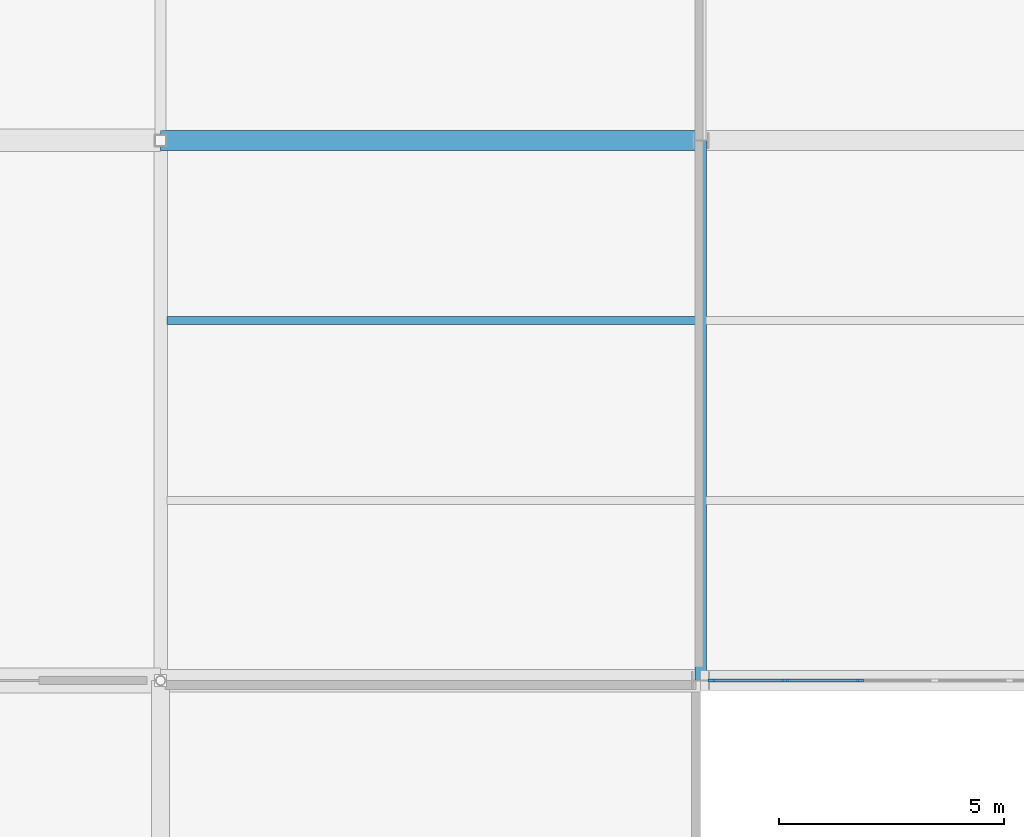
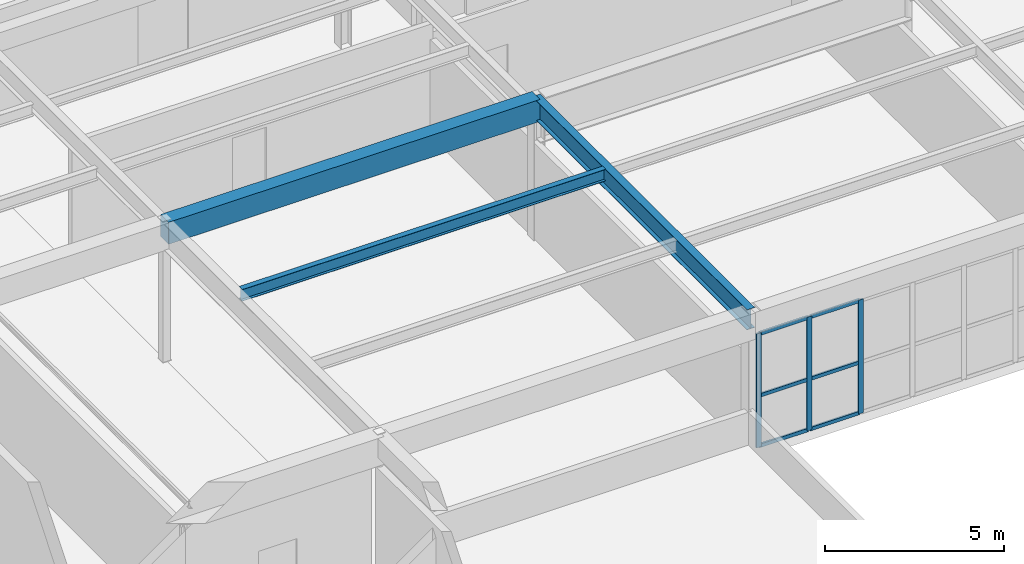
# One storey, part 71 of 186: 9 members, 3 beams, 1 element without a shape of its own.
"""IFC4 building model written with IfcOpenShell, lengths in metres."""

from ifc_helpers import new_model, si_unit, direction, frame, origin, origin_2d, place, context, subcontext, project, spatial, rectangle, i_section, extrude, material, layer, layer_set, material_profile, profile_set, type_object, element, aggregate, save


model = new_model("IFC4")

# Units and contexts
model_context = context("Model", 3, precision=1e-05, world=origin(), true_north=direction((0.0, 1.0)))
body_context = subcontext(model_context, "Body", "Model", "MODEL_VIEW")
ifc_project = project(units=[si_unit("LENGTHUNIT", "METRE"), si_unit("AREAUNIT", "SQUARE_METRE"), si_unit("VOLUMEUNIT", "CUBIC_METRE"), si_unit("PLANEANGLEUNIT", "RADIAN"), si_unit("MASSUNIT", "GRAM", prefix="KILO")], contexts=[model_context])

# Site, building, storey
site_placement = place(None, origin())
site = spatial("IfcSite", under=ifc_project, at=site_placement, CompositionType="ELEMENT")
building_placement = place(site_placement, origin())
building = spatial("IfcBuilding", under=site, at=building_placement, Name="Tarnwether General Hospital", CompositionType="ELEMENT")
storey_placement = place(building_placement, frame((0.0, 0.0, 9.60009765625)))
storey = spatial("IfcBuildingStorey", under=building, at=storey_placement, Name="L02", CompositionType="ELEMENT", Elevation=9.60009765625)

# Beams
ifc_material_1 = material(Name="Steel Grade 350 (350 MPa)", Category="steel")
ifc_material_profile_1 = material_profile(ifc_material_1, i_section(OverallWidth=0.25, OverallDepth=0.69189453125, WebThickness=0.009033203125, FlangeThickness=0.01611328125, at=origin_2d()), Name="700WB115")
ifc_profile_set_1 = profile_set([ifc_material_profile_1], Name="Steel Grade 350 (350 MPa)")
beam_type_1 = type_object("IfcBeamType", Name="BM-G02", PredefinedType="BEAM", material=ifc_profile_set_1)
beam_1_placement = place(storey_placement, frame((60.0, 81.60009765625, 4.453857421875), z_axis=(0.0, 1.0, 0.0), x_axis=(-1.0, 0.0, 0.0)))
element("IfcBeam", 1, at=beam_1_placement, inside=storey, type_object=beam_type_1, Name="Primary Girder BMG-L02-6000_8160-6000_9360-1492", PredefinedType="BEAM", context=body_context, shape_type="SweptSolid", body=[
    extrude(i_section(OverallWidth=0.25, OverallDepth=0.69189453125, WebThickness=0.009033203125, FlangeThickness=0.01611328125, at=origin_2d()), origin(), (0.0, 0.0, 1.0), 12.0),
])
ifc_material_2 = material(Name="Concrete 40 MPa", Category="concrete")
ifc_material_profile_2 = material_profile(ifc_material_2, rectangle(XDim=0.449951171875, YDim=0.75, at=origin_2d()), Name="RC-BM-450x750")
ifc_profile_set_2 = profile_set([ifc_material_profile_2], Name="Concrete 40 MPa")
beam_type_2 = type_object("IfcBeamType", Name="BM-G13", PredefinedType="BEAM", material=ifc_profile_set_2)
beam_2_placement = place(storey_placement, frame((48.0, 93.60009765625, 4.4248046875), z_axis=(1.0, 0.0, 0.0), x_axis=(0.0, 1.0, 0.0)))
element("IfcBeam", 2, at=beam_2_placement, inside=storey, type_object=beam_type_2, Name="Primary Girder BMG-L02-4800_9360-6000_9360-1480", PredefinedType="BEAM", context=body_context, shape_type="SweptSolid", body=[
    extrude(rectangle(XDim=0.449951171875, YDim=0.75, at=origin_2d()), origin(), (0.0, 0.0, 1.0), 12.0),
])
ifc_material_3 = material(Name="Steel Grade 350 (350 MPa)", Category="steel")
ifc_material_profile_3 = material_profile(ifc_material_3, i_section(OverallWidth=0.177978515625, OverallDepth=0.403076171875, WebThickness=0.007568359375, FlangeThickness=0.010986328125, at=origin_2d()), Name="410UB53.7")
ifc_profile_set_3 = profile_set([ifc_material_profile_3], Name="Steel Grade 350 (350 MPa)")
beam_type_3 = type_object("IfcBeamType", Name="BM-J02", PredefinedType="JOIST", material=ifc_profile_set_3)
beam_3_placement = place(storey_placement, frame((48.14404296875, 89.60009765625, 4.598388671875), z_axis=(1.0, 0.0, 0.0), x_axis=(0.0, 1.0, 0.0)))
element("IfcBeam", 3, at=beam_3_placement, inside=storey, type_object=beam_type_3, Name="Composite Floor Joist BMG-L02-4814_8960-5988_8960-1673", PredefinedType="JOIST", context=body_context, shape_type="SweptSolid", body=[
    extrude(i_section(OverallWidth=0.177978515625, OverallDepth=0.403076171875, WebThickness=0.007568359375, FlangeThickness=0.010986328125, at=origin_2d()), origin(), (0.0, 0.0, 1.0), 11.737060546875),
])

# Curtain wall, members
ifc_material_4 = material(Name="Anodised aluminium", Category="aluminium")
ifc_layer = layer(ifc_material_4, 0.159912109375)
ifc_layer_set = layer_set([ifc_layer], Name="Anodised aluminium")
curtain_wall_type = type_object("IfcCurtainWallType", Name="CW-23", PredefinedType="NOTDEFINED", material=ifc_layer_set)
curtain_wall_placement = place(storey_placement, origin())
curtain_wall = element("IfcCurtainWall", 4, at=curtain_wall_placement, inside=storey, type_object=curtain_wall_type, Name="Curtain Wall CWG-L02-602_816-0426", PredefinedType="NOTDEFINED")
ifc_material_5 = material(Name="Anodised aluminium", Category="aluminium")
ifc_material_profile_4 = material_profile(ifc_material_5, rectangle(XDim=0.06005859375, YDim=0.159912109375, at=origin_2d()), Name="ALU-MUL-60x160")
ifc_profile_set_4 = profile_set([ifc_material_profile_4], Name="Anodised aluminium")
member_type_1 = type_object("IfcMemberType", Name="CW-ML1", PredefinedType="MULLION", material=ifc_profile_set_4)
member_1_placement = place(storey_placement, frame((60.238037109375, 81.60009765625, 0.0), z_axis=(0.0, 0.0, 1.0), x_axis=(0.0, 1.0, 0.0)))
member_1 = element("IfcMember", 5, at=member_1_placement, type_object=member_type_1, Name="CW-23 mullion 1", PredefinedType="MULLION", context=body_context, shape_type="SweptSolid", body=[
    extrude(rectangle(XDim=0.06005859375, YDim=0.159912109375, at=origin_2d()), origin(), (0.0, 0.0, 1.0), 3.885009765625),
])
member_2_placement = place(storey_placement, frame((61.871826171875, 81.60009765625, 0.0), z_axis=(0.0, 0.0, 1.0), x_axis=(0.0, 1.0, 0.0)))
member_2 = element("IfcMember", 6, at=member_2_placement, type_object=member_type_1, Name="CW-23 mullion 2", PredefinedType="MULLION", context=body_context, shape_type="SweptSolid", body=[
    extrude(rectangle(XDim=0.06005859375, YDim=0.159912109375, at=origin_2d()), origin(), (0.0, 0.0, 1.0), 3.885009765625),
])
member_3_placement = place(storey_placement, frame((63.53564453125, 81.60009765625, 0.0), z_axis=(0.0, 0.0, 1.0), x_axis=(0.0, 1.0, 0.0)))
member_3 = element("IfcMember", 7, at=member_3_placement, type_object=member_type_1, Name="CW-23 mullion 3", PredefinedType="MULLION", context=body_context, shape_type="SweptSolid", body=[
    extrude(rectangle(XDim=0.06005859375, YDim=0.159912109375, at=origin_2d()), origin(), (0.0, 0.0, 1.0), 3.885009765625),
])
ifc_material_6 = material(Name="Anodised aluminium", Category="aluminium")
ifc_material_profile_5 = material_profile(ifc_material_6, rectangle(XDim=0.06005859375, YDim=0.1201171875, at=origin_2d()), Name="ALU-TRN-60x120")
ifc_profile_set_5 = profile_set([ifc_material_profile_5], Name="Anodised aluminium")
member_type_2 = type_object("IfcMemberType", Name="CW-TR1", PredefinedType="USERDEFINED", material=ifc_profile_set_5)
member_4_placement = place(storey_placement, frame((60.26806640625, 81.60009765625, 0.02978515625), z_axis=(1.0, 0.0, 0.0), x_axis=(0.0, 1.0, 0.0)))
member_4 = element("IfcMember", 8, at=member_4_placement, type_object=member_type_2, Name="CW-23 transom 1.1", ObjectType="TRANSOM", PredefinedType="USERDEFINED", context=body_context, shape_type="SweptSolid", body=[
    extrude(rectangle(XDim=0.06005859375, YDim=0.1201171875, at=origin_2d()), origin(), (0.0, 0.0, 1.0), 1.57373046875),
])
member_5_placement = place(storey_placement, frame((60.26806640625, 81.60009765625, 1.748291015625), z_axis=(1.0, 0.0, 0.0), x_axis=(0.0, 1.0, 0.0)))
member_5 = element("IfcMember", 9, at=member_5_placement, type_object=member_type_2, Name="CW-23 transom 1.2", ObjectType="TRANSOM", PredefinedType="USERDEFINED", context=body_context, shape_type="SweptSolid", body=[
    extrude(rectangle(XDim=0.06005859375, YDim=0.1201171875, at=origin_2d()), origin(), (0.0, 0.0, 1.0), 1.57373046875),
])
member_6_placement = place(storey_placement, frame((60.26806640625, 81.60009765625, 3.85498046875), z_axis=(1.0, 0.0, 0.0), x_axis=(0.0, 1.0, 0.0)))
member_6 = element("IfcMember", 10, at=member_6_placement, type_object=member_type_2, Name="CW-23 transom 1.3", ObjectType="TRANSOM", PredefinedType="USERDEFINED", context=body_context, shape_type="SweptSolid", body=[
    extrude(rectangle(XDim=0.06005859375, YDim=0.1201171875, at=origin_2d()), origin(), (0.0, 0.0, 1.0), 1.57373046875),
])
member_7_placement = place(storey_placement, frame((61.90185546875, 81.60009765625, 0.02978515625), z_axis=(1.0, 0.0, 0.0), x_axis=(0.0, 1.0, 0.0)))
member_7 = element("IfcMember", 11, at=member_7_placement, type_object=member_type_2, Name="CW-23 transom 2.1", ObjectType="TRANSOM", PredefinedType="USERDEFINED", context=body_context, shape_type="SweptSolid", body=[
    extrude(rectangle(XDim=0.06005859375, YDim=0.1201171875, at=origin_2d()), origin(), (0.0, 0.0, 1.0), 1.603759765625),
])
member_8_placement = place(storey_placement, frame((61.90185546875, 81.60009765625, 1.748291015625), z_axis=(1.0, 0.0, 0.0), x_axis=(0.0, 1.0, 0.0)))
member_8 = element("IfcMember", 12, at=member_8_placement, type_object=member_type_2, Name="CW-23 transom 2.2", ObjectType="TRANSOM", PredefinedType="USERDEFINED", context=body_context, shape_type="SweptSolid", body=[
    extrude(rectangle(XDim=0.06005859375, YDim=0.1201171875, at=origin_2d()), origin(), (0.0, 0.0, 1.0), 1.603759765625),
])
member_9_placement = place(storey_placement, frame((61.90185546875, 81.60009765625, 3.85498046875), z_axis=(1.0, 0.0, 0.0), x_axis=(0.0, 1.0, 0.0)))
member_9 = element("IfcMember", 13, at=member_9_placement, type_object=member_type_2, Name="CW-23 transom 2.3", ObjectType="TRANSOM", PredefinedType="USERDEFINED", context=body_context, shape_type="SweptSolid", body=[
    extrude(rectangle(XDim=0.06005859375, YDim=0.1201171875, at=origin_2d()), origin(), (0.0, 0.0, 1.0), 1.603759765625),
])
aggregate(curtain_wall, [member_1, member_2, member_3, member_4, member_5, member_6, member_7, member_8, member_9])

save(model, "model.ifc")
